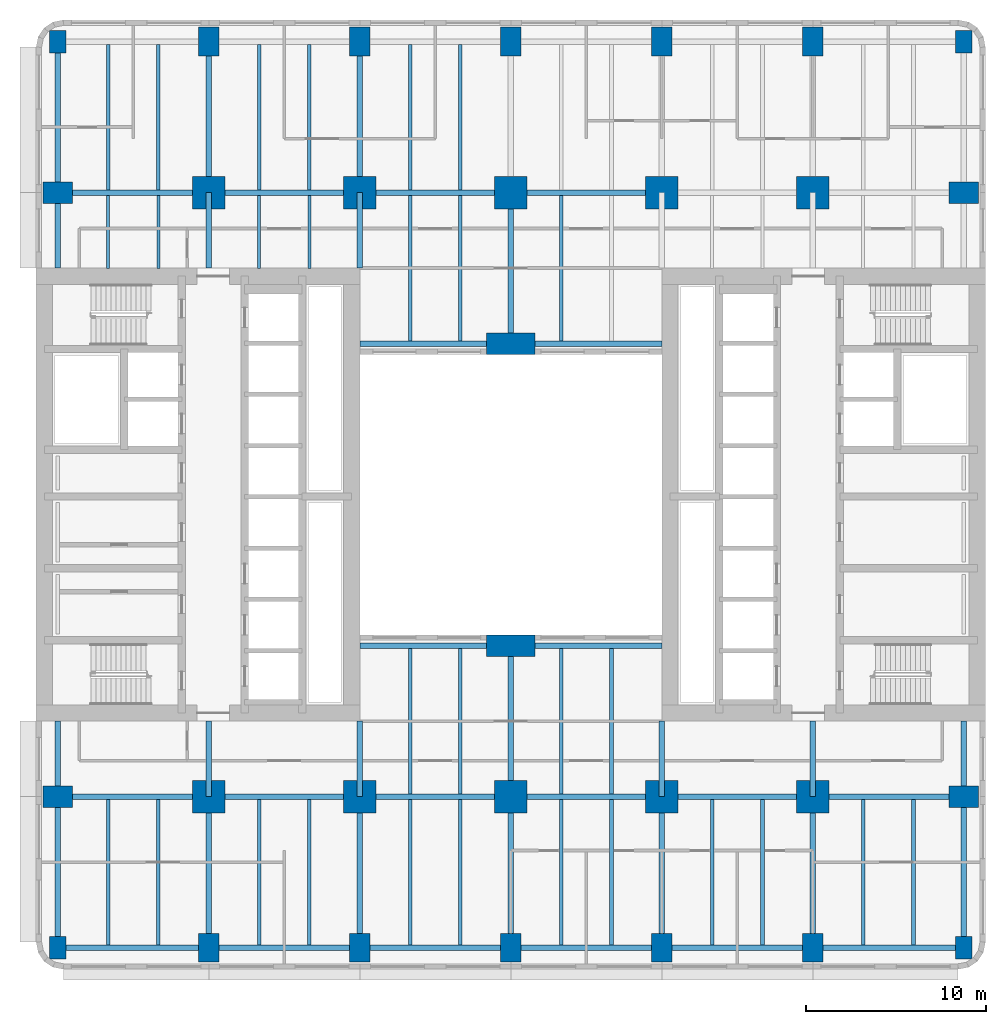
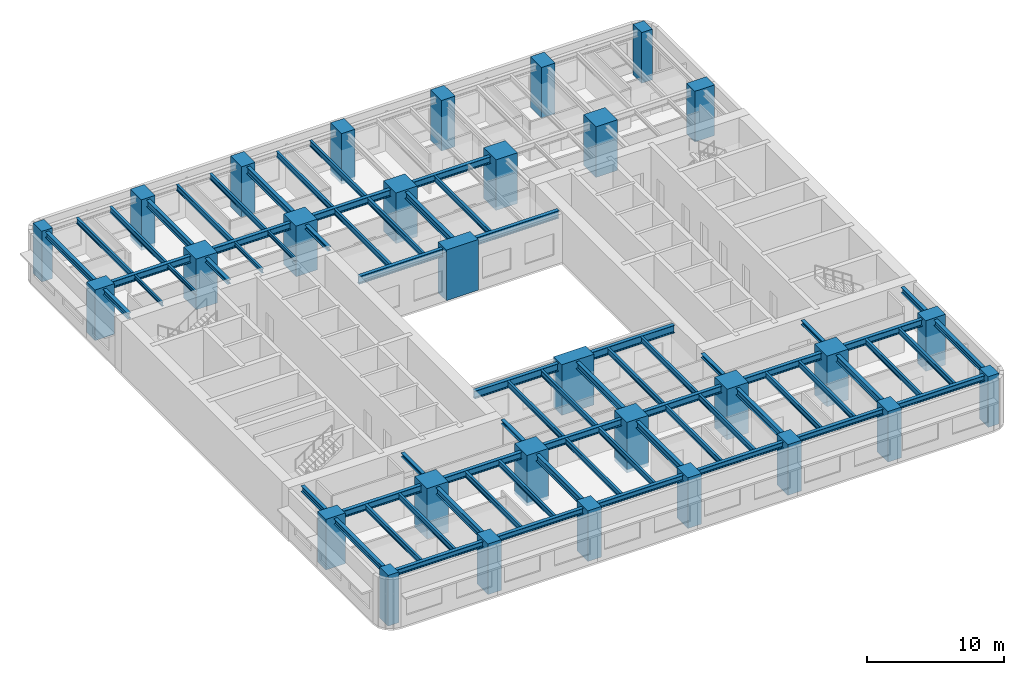
# One storey, part 1 of 14: 70 beams, 30 columns.
"""IFC4 building model written with IfcOpenShell, lengths in metres."""

import ifcopenshell
import ifcopenshell.guid

model = None  # the IFC model being written
_history = None  # IfcOwnerHistory: only IFC2X3 demands one
_inside = {}  # id of a spatial element -> (the spatial element, [elements in it])
_under = {}  # id of a project, library or spatial element -> (it, [spatial elements below it])
_declared = {}  # id of a project -> (the project, [libraries it declares])
_typed = {}  # id of a type object -> (the type object, [elements of that type])
_made_of = {}  # id of a material, layer set ... -> (it, [elements and type objects made of it])


def new_model(schema):
    """Start an empty IFC model of exactly this schema.

    Asked for "IFC4X3", IfcOpenShell would pick the latest addendum, in which some entities
    have other attributes; the version numbers below select the first issue.
    IFC2X3 requires an IfcOwnerHistory on every rooted entity: one is made here for all.
    """
    global model, _history
    if schema == "IFC4X3":
        model = ifcopenshell.file(schema_version=(4, 3, 0, 0))
    else:
        model = ifcopenshell.file(schema=schema)
    _inside.clear()
    _under.clear()
    _declared.clear()
    _typed.clear()
    _made_of.clear()
    _history = None
    if model.schema == "IFC2X3":
        org = make("IfcOrganization", Name="unknown")
        user = make(
            "IfcPersonAndOrganization",
            ThePerson=make("IfcPerson", FamilyName="unknown"),
            TheOrganization=org,
        )
        app = make(
            "IfcApplication",
            ApplicationDeveloper=org,
            Version="unknown",
            ApplicationFullName="unknown",
            ApplicationIdentifier="unknown",
        )
        _history = make(
            "IfcOwnerHistory",
            OwningUser=user,
            OwningApplication=app,
            ChangeAction="ADDED",
            CreationDate=0,
        )
    return model


def make(cls, **values):
    """One entity of the class cls with the attributes given. An attribute that is None is left unset."""
    return model.create_entity(
        cls, **{name: value for name, value in values.items() if value is not None}
    )


def rooted(cls, **values):
    """An entity with a GlobalId (a new one), such as an element, a storey or a relation."""
    return make(cls, GlobalId=ifcopenshell.guid.new(), OwnerHistory=_history, **values)


def si_unit(unit_type, name, prefix=None):
    """IfcSIUnit, for example si_unit("LENGTHUNIT", "METRE", prefix="MILLI")."""
    return make("IfcSIUnit", UnitType=unit_type, Prefix=prefix, Name=name)


def assignment(units):
    """IfcUnitAssignment: the units of a project."""
    return None if units is None else make("IfcUnitAssignment", Units=units)


def point(xyz):
    """IfcCartesianPoint."""
    return None if xyz is None else make("IfcCartesianPoint", Coordinates=xyz)


def direction(xyz):
    """IfcDirection."""
    return None if xyz is None else make("IfcDirection", DirectionRatios=xyz)


def frame(location, z_axis=None, x_axis=None):
    """IfcAxis2Placement3D, a coordinate frame: its origin and axes. An axis left out is left unset."""
    return make(
        "IfcAxis2Placement3D",
        Location=point(location),
        Axis=direction(z_axis),
        RefDirection=direction(x_axis),
    )


def frame_2d(location, x_axis=None):
    """IfcAxis2Placement2D, a coordinate frame in the plane: its origin and x axis."""
    return make(
        "IfcAxis2Placement2D", Location=point(location), RefDirection=direction(x_axis)
    )


def origin():
    """The frame at (0, 0, 0) with its axes left unset."""
    return frame((0.0, 0.0, 0.0))


def origin_2d():
    """The frame at (0, 0) in the plane with its x axis left unset."""
    return frame_2d((0.0, 0.0))


def place(relative_to, where):
    """IfcLocalPlacement: puts the frame where relative to a parent placement (None: the world)."""
    return make(
        "IfcLocalPlacement", PlacementRelTo=relative_to, RelativePlacement=where
    )


def context(
    kind, dimensions, precision=None, world=None, true_north=None, identifier=None
):
    """IfcGeometricRepresentationContext, for example the 3D "Model" context."""
    return make(
        "IfcGeometricRepresentationContext",
        ContextIdentifier=identifier,
        ContextType=kind,
        CoordinateSpaceDimension=dimensions,
        Precision=precision,
        WorldCoordinateSystem=world,
        TrueNorth=true_north,
    )


def subcontext(parent, identifier, kind, view, scale=None):
    """IfcGeometricRepresentationSubContext, for example "Body" below "Model"."""
    return make(
        "IfcGeometricRepresentationSubContext",
        ContextIdentifier=identifier,
        ContextType=kind,
        ParentContext=parent,
        TargetScale=scale,
        TargetView=view,
    )


def project(units=None, contexts=None):
    """IfcProject with its units and contexts."""
    return rooted(
        "IfcProject",
        Name="project",
        RepresentationContexts=contexts,
        UnitsInContext=assignment(units),
    )


def spatial(cls, under=None, at=None, **own):
    """A site, building, storey or space (cls), placed at a placement, below another one or the project."""
    s = rooted(cls, ObjectPlacement=at, **own)
    if under is not None:
        _under.setdefault(under.id(), (under, []))[1].append(s)
    return s


def profile(cls, at=None, kind="AREA", **sizes):
    """A parametric profile (cls). Its sizes go by their IFC names, for example OverallWidth=200.0."""
    return make(cls, ProfileType=kind, Position=at, **sizes)


def rectangle(**sizes):
    """IfcRectangleProfileDef."""
    return profile("IfcRectangleProfileDef", **sizes)


def i_section(**sizes):
    """IfcIShapeProfileDef."""
    return profile("IfcIShapeProfileDef", **sizes)


def extrude(swept, where, along, depth):
    """IfcExtrudedAreaSolid: the profile swept, set in the frame where, extruded along a direction by depth."""
    return make(
        "IfcExtrudedAreaSolid",
        SweptArea=swept,
        Position=where,
        ExtrudedDirection=direction(along),
        Depth=depth,
    )


def shape(context_of_items, identifier, shape_type, items):
    """IfcShapeRepresentation: the items that make up one representation, for example the "Body"."""
    return make(
        "IfcShapeRepresentation",
        ContextOfItems=context_of_items,
        RepresentationIdentifier=identifier,
        RepresentationType=shape_type,
        Items=items,
    )


def material(Name=None, Category=None):
    """IfcMaterial."""
    return make("IfcMaterial", Name=Name, Category=Category)


def material_profile(
    of_material, cross_section, Name=None, Category=None, Priority=None
):
    """IfcMaterialProfile: a cross section and its material."""
    return make(
        "IfcMaterialProfile",
        Name=Name,
        Material=of_material,
        Profile=cross_section,
        Priority=Priority,
        Category=Category,
    )


def profile_set(profiles, Name=None, composite=None):
    """IfcMaterialProfileSet."""
    return make(
        "IfcMaterialProfileSet",
        Name=Name,
        MaterialProfiles=profiles,
        CompositeProfile=composite,
    )


def made_of(thing, what):
    """Note that an element or type object is made of a material, layer set ...; save() writes the relation."""
    if what is not None:
        _made_of.setdefault(what.id(), (what, []))[1].append(thing)
    return thing


def type_object(cls, material=None, **own):
    """A type object (cls), such as IfcWallType, which elements share."""
    return made_of(rooted(cls, **own), material)


def element(
    cls,
    number,
    at=None,
    inside=None,
    cuts=None,
    type_object=None,
    material=None,
    context=None,
    identifier="Body",
    shape_type=None,
    held_by="IfcProductDefinitionShape",
    body=None,
    shapes=None,
    **own,
):
    """One element of the class cls, such as IfcWall. Its Tag is "e" and its number.

    at: its placement. inside: the storey or other place that contains it. cuts: it is an
    opening in that element (IfcRelVoidsElement). A single representation is given by context,
    identifier, shape_type and body (its items); several are given by shapes. held_by: the class
    of the entity that holds the representations. save() writes the other relations.
    """
    e = rooted(cls, Tag="e%d" % number, ObjectPlacement=at, **own)
    if body is not None:
        shapes = [shape(context, identifier, shape_type, body)]
    if shapes is not None:
        e.Representation = make(held_by, Representations=shapes)
    if inside is not None:
        _inside.setdefault(inside.id(), (inside, []))[1].append(e)
    if cuts is not None:
        rooted(
            "IfcRelVoidsElement", RelatingBuildingElement=cuts, RelatedOpeningElement=e
        )
    if type_object is not None:
        _typed.setdefault(type_object.id(), (type_object, []))[1].append(e)
    return made_of(e, material)


def aggregate(whole, parts):
    """IfcRelAggregates: a whole, such as a stair, and the parts it consists of."""
    return rooted("IfcRelAggregates", RelatingObject=whole, RelatedObjects=parts)


def save(model, path):
    """Write the relations noted so far, then the file.

    IfcRelAggregates (storeys below a building ...), IfcRelContainedInSpatialStructure (elements
    in a storey), IfcRelDefinesByType, IfcRelAssociatesMaterial and IfcRelDeclares: one each for
    every whole, place, type object, material and project.
    """
    for whole, parts in _under.values():
        aggregate(whole, parts)
    for where, things in _inside.values():
        rooted(
            "IfcRelContainedInSpatialStructure",
            RelatedElements=things,
            RelatingStructure=where,
        )
    for kind, things in _typed.values():
        rooted("IfcRelDefinesByType", RelatedObjects=things, RelatingType=kind)
    for what, things in _made_of.values():
        rooted("IfcRelAssociatesMaterial", RelatedObjects=things, RelatingMaterial=what)
    for by, libraries in _declared.values():
        rooted("IfcRelDeclares", RelatingContext=by, RelatedDefinitions=libraries)
    model.write(path)


model = new_model("IFC4")

# Units and contexts
model_context = context("Model", 3, precision=1e-05, world=origin(), true_north=direction((0.0, 1.0)))
body_context = subcontext(model_context, "Body", "Model", "MODEL_VIEW")
ifc_project = project(units=[si_unit("LENGTHUNIT", "METRE"), si_unit("AREAUNIT", "SQUARE_METRE"), si_unit("VOLUMEUNIT", "CUBIC_METRE"), si_unit("PLANEANGLEUNIT", "RADIAN"), si_unit("MASSUNIT", "GRAM", prefix="KILO")], contexts=[model_context])

# Site, building, storey
site_placement = place(None, origin())
site = spatial("IfcSite", under=ifc_project, at=site_placement, CompositionType="ELEMENT")
building_placement = place(site_placement, origin())
building = spatial("IfcBuilding", under=site, at=building_placement, Name="Claustro Exchange Tower", CompositionType="ELEMENT")
storey_placement = place(building_placement, frame((0.0, 0.0, 32.39990234375)))
storey = spatial("IfcBuildingStorey", under=building, at=storey_placement, Name="L07", CompositionType="ELEMENT", Elevation=32.39990234375)

# Columns
ifc_material_1 = material(Name="Concrete HA-70 (C70/85)", Category="concrete")
ifc_material_profile_1 = material_profile(ifc_material_1, rectangle(XDim=1.800048828125, YDim=1.800048828125, at=origin_2d()), Name="RC 1800x1800")
ifc_profile_set_1 = profile_set([ifc_material_profile_1], Name="Concrete HA-70 (C70/85)")
column_type_1 = type_object("IfcColumnType", Name="C14 RC 1800x1800 HA-70 column", PredefinedType="COLUMN", material=ifc_profile_set_1)
for number, where, z_axis, x_axis, name in (
    (1, (8.39990234375, 8.39990234375, 0.0), (0.0, 0.0, 1.0), (1.0, 0.0, 0.0), "Column C14 2/B L07"),
    (2, (8.39990234375, 42.0, 0.0), (0.0, 0.0, 1.0), (1.0, 0.0, 0.0), "Column C14 2/F L07"),
    (3, (16.800048828125, 8.39990234375, 0.0), (0.0, 0.0, 1.0), (1.0, 0.0, 0.0), "Column C14 3/B L07"),
    (4, (16.800048828125, 42.0, 0.0), (0.0, 0.0, 1.0), (1.0, 0.0, 0.0), "Column C14 3/F L07"),
    (5, (25.199951171875, 8.39990234375, 0.0), (0.0, 0.0, 1.0), (1.0, 0.0, 0.0), "Column C14 4/B L07"),
    (6, (25.199951171875, 42.0, 0.0), (0.0, 0.0, 1.0), (1.0, 0.0, 0.0), "Column C14 4/F L07"),
    (7, (33.60009765625, 8.39990234375, 0.0), (0.0, 0.0, 1.0), (1.0, 0.0, 0.0), "Column C14 5/B L07"),
    (8, (33.60009765625, 42.0, 0.0), (0.0, 0.0, 1.0), (1.0, 0.0, 0.0), "Column C14 5/F L07"),
    (9, (42.0, 8.39990234375, 0.0), (0.0, 0.0, 1.0), (1.0, 0.0, 0.0), "Column C14 6/B L07"),
    (10, (42.0, 42.0, 0.0), (0.0, 0.0, 1.0), (1.0, 0.0, 0.0), "Column C14 6/F L07"),
):
    element("IfcColumn", number, at=place(storey_placement, frame(where, z_axis=z_axis, x_axis=x_axis)), inside=storey, type_object=column_type_1, Name=name, PredefinedType="COLUMN", context=body_context, shape_type="SweptSolid", body=[
        extrude(rectangle(XDim=1.800048828125, YDim=1.800048828125, at=origin_2d()), origin(), (0.0, 0.0, 1.0), 4.5),
    ])
ifc_material_2 = material(Name="Concrete HA-70 (C70/85)", Category="concrete")
ifc_material_profile_2 = material_profile(ifc_material_2, rectangle(XDim=1.199951171875, YDim=1.64990234375, at=origin_2d()), Name="RC 1200x1650")
ifc_profile_set_2 = profile_set([ifc_material_profile_2], Name="Concrete HA-70 (C70/85)")
column_type_2 = type_object("IfcColumnType", Name="C19 RC 1200x1650 HA-70 perimeter column", PredefinedType="COLUMN", material=ifc_profile_set_2)
for number, where, z_axis, x_axis, name in (
    (11, (0.0, 8.39990234375, 0.0), (0.0, 0.0, 1.0), (0.0, 1.0, 0.0), "Column C19 1/B L07"),
    (12, (0.0, 42.0, 0.0), (0.0, 0.0, 1.0), (0.0, 1.0, 0.0), "Column C19 1/F L07"),
    (13, (50.39990234375, 8.39990234375, 0.0), (0.0, 0.0, 1.0), (0.0, 1.0, 0.0), "Column C19 7/B L07"),
    (14, (50.39990234375, 42.0, 0.0), (0.0, 0.0, 1.0), (0.0, 1.0, 0.0), "Column C19 7/F L07"),
):
    element("IfcColumn", number, at=place(storey_placement, frame(where, z_axis=z_axis, x_axis=x_axis)), inside=storey, type_object=column_type_2, Name=name, PredefinedType="COLUMN", context=body_context, shape_type="SweptSolid", body=[
        extrude(rectangle(XDim=1.199951171875, YDim=1.64990234375, at=origin_2d()), origin(), (0.0, 0.0, 1.0), 4.5),
    ])
ifc_material_3 = material(Name="Concrete HA-70 (C70/85)", Category="concrete")
ifc_material_profile_3 = material_profile(ifc_material_3, rectangle(XDim=1.14990234375, YDim=1.60009765625, at=origin_2d()), Name="RC 1150x1600")
ifc_profile_set_3 = profile_set([ifc_material_profile_3], Name="Concrete HA-70 (C70/85)")
column_type_3 = type_object("IfcColumnType", Name="C20 RC 1150x1600 HA-70 perimeter column", PredefinedType="COLUMN", material=ifc_profile_set_3)
for number, where, z_axis, x_axis, name in (
    (15, (8.39990234375, 0.0, 0.0), (0.0, 0.0, 1.0), (1.0, 0.0, 0.0), "Column C20 2/A L07"),
    (16, (8.39990234375, 50.39990234375, 0.0), (0.0, 0.0, 1.0), (1.0, 0.0, 0.0), "Column C20 2/G L07"),
    (17, (16.800048828125, 0.0, 0.0), (0.0, 0.0, 1.0), (1.0, 0.0, 0.0), "Column C20 3/A L07"),
    (18, (16.800048828125, 50.39990234375, 0.0), (0.0, 0.0, 1.0), (1.0, 0.0, 0.0), "Column C20 3/G L07"),
    (19, (25.199951171875, 0.0, 0.0), (0.0, 0.0, 1.0), (1.0, 0.0, 0.0), "Column C20 4/A L07"),
    (20, (25.199951171875, 50.39990234375, 0.0), (0.0, 0.0, 1.0), (1.0, 0.0, 0.0), "Column C20 4/G L07"),
    (21, (33.60009765625, 0.0, 0.0), (0.0, 0.0, 1.0), (1.0, 0.0, 0.0), "Column C20 5/A L07"),
    (22, (33.60009765625, 50.39990234375, 0.0), (0.0, 0.0, 1.0), (1.0, 0.0, 0.0), "Column C20 5/G L07"),
    (23, (42.0, 0.0, 0.0), (0.0, 0.0, 1.0), (1.0, 0.0, 0.0), "Column C20 6/A L07"),
    (24, (42.0, 50.39990234375, 0.0), (0.0, 0.0, 1.0), (1.0, 0.0, 0.0), "Column C20 6/G L07"),
):
    element("IfcColumn", number, at=place(storey_placement, frame(where, z_axis=z_axis, x_axis=x_axis)), inside=storey, type_object=column_type_3, Name=name, PredefinedType="COLUMN", context=body_context, shape_type="SweptSolid", body=[
        extrude(rectangle(XDim=1.14990234375, YDim=1.60009765625, at=origin_2d()), origin(), (0.0, 0.0, 1.0), 4.5),
    ])
ifc_material_4 = material(Name="Concrete HA-70 (C70/85)", Category="concrete")
ifc_material_profile_4 = material_profile(ifc_material_4, rectangle(XDim=2.699951171875, YDim=1.199951171875, at=origin_2d()), Name="RC 2700x1200")
ifc_profile_set_4 = profile_set([ifc_material_profile_4], Name="Concrete HA-70 (C70/85)")
column_type_4 = type_object("IfcColumnType", Name="C30 RC 2700x1200 HA-70 light well column", PredefinedType="COLUMN", material=ifc_profile_set_4)
for number, where, z_axis, x_axis, name in (
    (25, (25.199951171875, 16.800048828125, 0.0), (0.0, 0.0, 1.0), (1.0, 0.0, 0.0), "Column C30 4/C L07"),
    (26, (25.199951171875, 33.60009765625, 0.0), (0.0, 0.0, 1.0), (1.0, 0.0, 0.0), "Column C30 4/E L07"),
):
    element("IfcColumn", number, at=place(storey_placement, frame(where, z_axis=z_axis, x_axis=x_axis)), inside=storey, type_object=column_type_4, Name=name, PredefinedType="COLUMN", context=body_context, shape_type="SweptSolid", body=[
        extrude(rectangle(XDim=2.699951171875, YDim=1.199951171875, at=origin_2d()), origin(), (0.0, 0.0, 1.0), 4.5),
    ])
ifc_material_5 = material(Name="Concrete HA-70 (C70/85)", Category="concrete")
ifc_material_profile_5 = material_profile(ifc_material_5, rectangle(XDim=0.89990234375, YDim=1.25, at=origin_2d()), Name="RC 900x1250")
ifc_profile_set_5 = profile_set([ifc_material_profile_5], Name="Concrete HA-70 (C70/85)")
column_type_5 = type_object("IfcColumnType", Name="C35 RC 900x1250 HA-70 corner column", PredefinedType="COLUMN", material=ifc_profile_set_5)
for number, where, z_axis, x_axis, name in (
    (27, (0.0, 0.0, 0.0), (0.0, 0.0, 1.0), (1.0, 0.0, 0.0), "Column C35 1/A L07"),
    (28, (0.0, 50.39990234375, 0.0), (0.0, 0.0, 1.0), (1.0, 0.0, 0.0), "Column C35 1/G L07"),
    (29, (50.39990234375, 0.0, 0.0), (0.0, 0.0, 1.0), (1.0, 0.0, 0.0), "Column C35 7/A L07"),
    (30, (50.39990234375, 50.39990234375, 0.0), (0.0, 0.0, 1.0), (1.0, 0.0, 0.0), "Column C35 7/G L07"),
):
    element("IfcColumn", number, at=place(storey_placement, frame(where, z_axis=z_axis, x_axis=x_axis)), inside=storey, type_object=column_type_5, Name=name, PredefinedType="COLUMN", context=body_context, shape_type="SweptSolid", body=[
        extrude(rectangle(XDim=0.89990234375, YDim=1.25, at=origin_2d()), origin(), (0.0, 0.0, 1.0), 4.5),
    ])

# Beams
ifc_material_6 = material(Name="Steel S355", Category="steel")
ifc_material_profile_6 = material_profile(ifc_material_6, i_section(OverallWidth=0.300048828125, OverallDepth=0.60009765625, WebThickness=0.015380859375, FlangeThickness=0.030029296875, FilletRadius=0.027099609375, at=origin_2d()), Name="HE 600 B")
ifc_profile_set_6 = profile_set([ifc_material_profile_6], Name="Steel S355")
beam_type_1 = type_object("IfcBeamType", Name="B1 HE 600 B floor girder", PredefinedType="BEAM", material=ifc_profile_set_6)
for number, where, z_axis, x_axis, name in (
    (31, (8.39990234375, 0.0, 4.0400390625), (0.0, 1.0, 0.0), (-1.0, 0.0, 0.0), "Beam B1 L08"),
    (32, (8.39990234375, 42.0, 4.0400390625), (0.0, 1.0, 0.0), (-1.0, 0.0, 0.0), "Beam B1 L08"),
    (33, (16.800048828125, 0.0, 4.0400390625), (0.0, 1.0, 0.0), (-1.0, 0.0, 0.0), "Beam B1 L08"),
    (34, (16.800048828125, 42.0, 4.0400390625), (0.0, 1.0, 0.0), (-1.0, 0.0, 0.0), "Beam B1 L08"),
    (35, (25.199951171875, 0.0, 4.0400390625), (0.0, 1.0, 0.0), (-1.0, 0.0, 0.0), "Beam B1 L08"),
):
    element("IfcBeam", number, at=place(storey_placement, frame(where, z_axis=z_axis, x_axis=x_axis)), inside=storey, type_object=beam_type_1, Name=name, PredefinedType="BEAM", context=body_context, shape_type="SweptSolid", body=[
        extrude(i_section(OverallWidth=0.300048828125, OverallDepth=0.60009765625, WebThickness=0.015380859375, FlangeThickness=0.030029296875, FilletRadius=0.027099609375, at=origin_2d()), origin(), (0.0, 0.0, 1.0), 8.39990234375),
    ])
beam_1_placement = place(storey_placement, frame((25.199951171875, 8.39990234375, 4.0400390625), z_axis=(0.0, 1.0, 0.0), x_axis=(-1.0, 0.0, 0.0)))
element("IfcBeam", 36, at=beam_1_placement, inside=storey, type_object=beam_type_1, Name="Beam B1 L08", PredefinedType="BEAM", context=body_context, shape_type="SweptSolid", body=[
    extrude(i_section(OverallWidth=0.300048828125, OverallDepth=0.60009765625, WebThickness=0.015380859375, FlangeThickness=0.030029296875, FilletRadius=0.027099609375, at=origin_2d()), origin(), (0.0, 0.0, 1.0), 8.400146484375),
])
for number, where, z_axis, x_axis, name in (
    (37, (25.199951171875, 33.60009765625, 4.0400390625), (0.0, 1.0, 0.0), (-1.0, 0.0, 0.0), "Beam B1 L08"),
    (38, (33.60009765625, 0.0, 4.0400390625), (0.0, 1.0, 0.0), (-1.0, 0.0, 0.0), "Beam B1 L08"),
    (39, (42.0, 0.0, 4.0400390625), (0.0, 1.0, 0.0), (-1.0, 0.0, 0.0), "Beam B1 L08"),
    (40, (0.0, 8.39990234375, 4.0400390625), (1.0, 0.0, 0.0), (0.0, 1.0, 0.0), "Beam B1 L08"),
):
    element("IfcBeam", number, at=place(storey_placement, frame(where, z_axis=z_axis, x_axis=x_axis)), inside=storey, type_object=beam_type_1, Name=name, PredefinedType="BEAM", context=body_context, shape_type="SweptSolid", body=[
        extrude(i_section(OverallWidth=0.300048828125, OverallDepth=0.60009765625, WebThickness=0.015380859375, FlangeThickness=0.030029296875, FilletRadius=0.027099609375, at=origin_2d()), origin(), (0.0, 0.0, 1.0), 8.39990234375),
    ])
beam_2_placement = place(storey_placement, frame((8.39990234375, 8.39990234375, 4.0400390625), z_axis=(1.0, 0.0, 0.0), x_axis=(0.0, 1.0, 0.0)))
element("IfcBeam", 41, at=beam_2_placement, inside=storey, type_object=beam_type_1, Name="Beam B1 L08", PredefinedType="BEAM", context=body_context, shape_type="SweptSolid", body=[
    extrude(i_section(OverallWidth=0.300048828125, OverallDepth=0.60009765625, WebThickness=0.015380859375, FlangeThickness=0.030029296875, FilletRadius=0.027099609375, at=origin_2d()), origin(), (0.0, 0.0, 1.0), 8.400146484375),
])
beam_3_placement = place(storey_placement, frame((16.800048828125, 8.39990234375, 4.0400390625), z_axis=(1.0, 0.0, 0.0), x_axis=(0.0, 1.0, 0.0)))
element("IfcBeam", 42, at=beam_3_placement, inside=storey, type_object=beam_type_1, Name="Beam B1 L08", PredefinedType="BEAM", context=body_context, shape_type="SweptSolid", body=[
    extrude(i_section(OverallWidth=0.300048828125, OverallDepth=0.60009765625, WebThickness=0.015380859375, FlangeThickness=0.030029296875, FilletRadius=0.027099609375, at=origin_2d()), origin(), (0.0, 0.0, 1.0), 8.39990234375),
])
beam_4_placement = place(storey_placement, frame((25.199951171875, 8.39990234375, 4.0400390625), z_axis=(1.0, 0.0, 0.0), x_axis=(0.0, 1.0, 0.0)))
element("IfcBeam", 43, at=beam_4_placement, inside=storey, type_object=beam_type_1, Name="Beam B1 L08", PredefinedType="BEAM", context=body_context, shape_type="SweptSolid", body=[
    extrude(i_section(OverallWidth=0.300048828125, OverallDepth=0.60009765625, WebThickness=0.015380859375, FlangeThickness=0.030029296875, FilletRadius=0.027099609375, at=origin_2d()), origin(), (0.0, 0.0, 1.0), 8.400146484375),
])
for number, where, z_axis, x_axis, name in (
    (44, (33.60009765625, 8.39990234375, 4.0400390625), (1.0, 0.0, 0.0), (0.0, 1.0, 0.0), "Beam B1 L08"),
    (45, (42.0, 8.39990234375, 4.0400390625), (1.0, 0.0, 0.0), (0.0, 1.0, 0.0), "Beam B1 L08"),
    (46, (0.0, 42.0, 4.0400390625), (1.0, 0.0, 0.0), (0.0, 1.0, 0.0), "Beam B1 L08"),
):
    element("IfcBeam", number, at=place(storey_placement, frame(where, z_axis=z_axis, x_axis=x_axis)), inside=storey, type_object=beam_type_1, Name=name, PredefinedType="BEAM", context=body_context, shape_type="SweptSolid", body=[
        extrude(i_section(OverallWidth=0.300048828125, OverallDepth=0.60009765625, WebThickness=0.015380859375, FlangeThickness=0.030029296875, FilletRadius=0.027099609375, at=origin_2d()), origin(), (0.0, 0.0, 1.0), 8.39990234375),
    ])
beam_5_placement = place(storey_placement, frame((8.39990234375, 42.0, 4.0400390625), z_axis=(1.0, 0.0, 0.0), x_axis=(0.0, 1.0, 0.0)))
element("IfcBeam", 47, at=beam_5_placement, inside=storey, type_object=beam_type_1, Name="Beam B1 L08", PredefinedType="BEAM", context=body_context, shape_type="SweptSolid", body=[
    extrude(i_section(OverallWidth=0.300048828125, OverallDepth=0.60009765625, WebThickness=0.015380859375, FlangeThickness=0.030029296875, FilletRadius=0.027099609375, at=origin_2d()), origin(), (0.0, 0.0, 1.0), 8.400146484375),
])
beam_6_placement = place(storey_placement, frame((16.800048828125, 42.0, 4.0400390625), z_axis=(1.0, 0.0, 0.0), x_axis=(0.0, 1.0, 0.0)))
element("IfcBeam", 48, at=beam_6_placement, inside=storey, type_object=beam_type_1, Name="Beam B1 L08", PredefinedType="BEAM", context=body_context, shape_type="SweptSolid", body=[
    extrude(i_section(OverallWidth=0.300048828125, OverallDepth=0.60009765625, WebThickness=0.015380859375, FlangeThickness=0.030029296875, FilletRadius=0.027099609375, at=origin_2d()), origin(), (0.0, 0.0, 1.0), 8.39990234375),
])
beam_7_placement = place(storey_placement, frame((25.199951171875, 42.0, 4.0400390625), z_axis=(1.0, 0.0, 0.0), x_axis=(0.0, 1.0, 0.0)))
element("IfcBeam", 49, at=beam_7_placement, inside=storey, type_object=beam_type_1, Name="Beam B1 L08", PredefinedType="BEAM", context=body_context, shape_type="SweptSolid", body=[
    extrude(i_section(OverallWidth=0.300048828125, OverallDepth=0.60009765625, WebThickness=0.015380859375, FlangeThickness=0.030029296875, FilletRadius=0.027099609375, at=origin_2d()), origin(), (0.0, 0.0, 1.0), 8.400146484375),
])
ifc_material_7 = material(Name="Steel S355", Category="steel")
ifc_material_profile_7 = material_profile(ifc_material_7, i_section(OverallWidth=0.300048828125, OverallDepth=0.68994140625, WebThickness=0.014404296875, FlangeThickness=0.027099609375, FilletRadius=0.027099609375, at=origin_2d()), Name="HE 700 A")
ifc_profile_set_7 = profile_set([ifc_material_profile_7], Name="Steel S355")
beam_type_2 = type_object("IfcBeamType", Name="B13 HE 700 A light well edge girder", PredefinedType="BEAM", material=ifc_profile_set_7)
beam_8_placement = place(storey_placement, frame((16.800048828125, 16.800048828125, 3.9951171875), z_axis=(1.0, 0.0, 0.0), x_axis=(0.0, 1.0, 0.0)))
element("IfcBeam", 50, at=beam_8_placement, inside=storey, type_object=beam_type_2, Name="Beam B13 L08", PredefinedType="BEAM", context=body_context, shape_type="SweptSolid", body=[
    extrude(i_section(OverallWidth=0.300048828125, OverallDepth=0.68994140625, WebThickness=0.014404296875, FlangeThickness=0.027099609375, FilletRadius=0.027099609375, at=origin_2d()), origin(), (0.0, 0.0, 1.0), 8.39990234375),
])
beam_9_placement = place(storey_placement, frame((25.199951171875, 16.800048828125, 3.9951171875), z_axis=(1.0, 0.0, 0.0), x_axis=(0.0, 1.0, 0.0)))
element("IfcBeam", 51, at=beam_9_placement, inside=storey, type_object=beam_type_2, Name="Beam B13 L08", PredefinedType="BEAM", context=body_context, shape_type="SweptSolid", body=[
    extrude(i_section(OverallWidth=0.300048828125, OverallDepth=0.68994140625, WebThickness=0.014404296875, FlangeThickness=0.027099609375, FilletRadius=0.027099609375, at=origin_2d()), origin(), (0.0, 0.0, 1.0), 8.400146484375),
])
beam_10_placement = place(storey_placement, frame((16.800048828125, 33.60009765625, 3.9951171875), z_axis=(1.0, 0.0, 0.0), x_axis=(0.0, 1.0, 0.0)))
element("IfcBeam", 52, at=beam_10_placement, inside=storey, type_object=beam_type_2, Name="Beam B13 L08", PredefinedType="BEAM", context=body_context, shape_type="SweptSolid", body=[
    extrude(i_section(OverallWidth=0.300048828125, OverallDepth=0.68994140625, WebThickness=0.014404296875, FlangeThickness=0.027099609375, FilletRadius=0.027099609375, at=origin_2d()), origin(), (0.0, 0.0, 1.0), 8.39990234375),
])
beam_11_placement = place(storey_placement, frame((25.199951171875, 33.60009765625, 3.9951171875), z_axis=(1.0, 0.0, 0.0), x_axis=(0.0, 1.0, 0.0)))
element("IfcBeam", 53, at=beam_11_placement, inside=storey, type_object=beam_type_2, Name="Beam B13 L08", PredefinedType="BEAM", context=body_context, shape_type="SweptSolid", body=[
    extrude(i_section(OverallWidth=0.300048828125, OverallDepth=0.68994140625, WebThickness=0.014404296875, FlangeThickness=0.027099609375, FilletRadius=0.027099609375, at=origin_2d()), origin(), (0.0, 0.0, 1.0), 8.400146484375),
])
ifc_material_8 = material(Name="Steel S355", Category="steel")
ifc_material_profile_8 = material_profile(ifc_material_8, i_section(OverallWidth=0.169921875, OverallDepth=0.360107421875, WebThickness=0.008056640625, FlangeThickness=0.0126953125, FilletRadius=0.01806640625, at=origin_2d()), Name="IPE 360")
ifc_profile_set_8 = profile_set([ifc_material_profile_8], Name="Steel S355")
beam_type_3 = type_object("IfcBeamType", Name="B16 IPE 360 short-span beam", PredefinedType="BEAM", material=ifc_profile_set_8)
for number, where, z_axis, x_axis, name in (
    (54, (2.800048828125, 37.7900390625, 4.16015625), (0.0, 1.0, 0.0), (-1.0, 0.0, 0.0), "Beam B16 L08"),
    (55, (5.60009765625, 37.7900390625, 4.16015625), (0.0, 1.0, 0.0), (-1.0, 0.0, 0.0), "Beam B16 L08"),
    (56, (11.199951171875, 37.7900390625, 4.16015625), (0.0, 1.0, 0.0), (-1.0, 0.0, 0.0), "Beam B16 L08"),
    (57, (14.0, 37.7900390625, 4.16015625), (0.0, 1.0, 0.0), (-1.0, 0.0, 0.0), "Beam B16 L08"),
):
    element("IfcBeam", number, at=place(storey_placement, frame(where, z_axis=z_axis, x_axis=x_axis)), inside=storey, type_object=beam_type_3, Name=name, PredefinedType="BEAM", context=body_context, shape_type="SweptSolid", body=[
        extrude(i_section(OverallWidth=0.169921875, OverallDepth=0.360107421875, WebThickness=0.008056640625, FlangeThickness=0.0126953125, FilletRadius=0.01806640625, at=origin_2d()), origin(), (0.0, 0.0, 1.0), 4.06005859375),
    ])
ifc_material_9 = material(Name="Steel S355", Category="steel")
ifc_material_profile_9 = material_profile(ifc_material_9, i_section(OverallWidth=0.199951171875, OverallDepth=0.5, WebThickness=0.01025390625, FlangeThickness=0.01611328125, FilletRadius=0.02099609375, at=origin_2d()), Name="IPE 500")
ifc_profile_set_9 = profile_set([ifc_material_profile_9], Name="Steel S355")
beam_type_4 = type_object("IfcBeamType", Name="B2 IPE 500 secondary beam", PredefinedType="BEAM", material=ifc_profile_set_9)
for number, where, z_axis, x_axis, name in (
    (58, (2.800048828125, 0.14990234375, 4.090087890625), (0.0, 1.0, 0.0), (-1.0, 0.0, 0.0), "Beam B2 L08"),
    (59, (5.60009765625, 0.14990234375, 4.090087890625), (0.0, 1.0, 0.0), (-1.0, 0.0, 0.0), "Beam B2 L08"),
    (60, (2.800048828125, 42.14990234375, 4.090087890625), (0.0, 1.0, 0.0), (-1.0, 0.0, 0.0), "Beam B2 L08"),
    (61, (5.60009765625, 42.14990234375, 4.090087890625), (0.0, 1.0, 0.0), (-1.0, 0.0, 0.0), "Beam B2 L08"),
    (62, (11.199951171875, 0.14990234375, 4.090087890625), (0.0, 1.0, 0.0), (-1.0, 0.0, 0.0), "Beam B2 L08"),
    (63, (14.0, 0.14990234375, 4.090087890625), (0.0, 1.0, 0.0), (-1.0, 0.0, 0.0), "Beam B2 L08"),
    (64, (11.199951171875, 42.14990234375, 4.090087890625), (0.0, 1.0, 0.0), (-1.0, 0.0, 0.0), "Beam B2 L08"),
    (65, (14.0, 42.14990234375, 4.090087890625), (0.0, 1.0, 0.0), (-1.0, 0.0, 0.0), "Beam B2 L08"),
    (66, (19.60009765625, 0.14990234375, 4.090087890625), (0.0, 1.0, 0.0), (-1.0, 0.0, 0.0), "Beam B2 L08"),
    (67, (22.39990234375, 0.14990234375, 4.090087890625), (0.0, 1.0, 0.0), (-1.0, 0.0, 0.0), "Beam B2 L08"),
):
    element("IfcBeam", number, at=place(storey_placement, frame(where, z_axis=z_axis, x_axis=x_axis)), inside=storey, type_object=beam_type_4, Name=name, PredefinedType="BEAM", context=body_context, shape_type="SweptSolid", body=[
        extrude(i_section(OverallWidth=0.199951171875, OverallDepth=0.5, WebThickness=0.01025390625, FlangeThickness=0.01611328125, FilletRadius=0.02099609375, at=origin_2d()), origin(), (0.0, 0.0, 1.0), 8.10009765625),
    ])
for number, where, z_axis, x_axis, name in (
    (68, (19.60009765625, 8.550048828125, 4.090087890625), (0.0, 1.0, 0.0), (-1.0, 0.0, 0.0), "Beam B2 L08"),
    (69, (22.39990234375, 8.550048828125, 4.090087890625), (0.0, 1.0, 0.0), (-1.0, 0.0, 0.0), "Beam B2 L08"),
):
    element("IfcBeam", number, at=place(storey_placement, frame(where, z_axis=z_axis, x_axis=x_axis)), inside=storey, type_object=beam_type_4, Name=name, PredefinedType="BEAM", context=body_context, shape_type="SweptSolid", body=[
        extrude(i_section(OverallWidth=0.199951171875, OverallDepth=0.5, WebThickness=0.01025390625, FlangeThickness=0.01611328125, FilletRadius=0.02099609375, at=origin_2d()), origin(), (0.0, 0.0, 1.0), 8.099853515625),
    ])
for number, where, z_axis, x_axis, name in (
    (70, (19.60009765625, 33.75, 4.090087890625), (0.0, 1.0, 0.0), (-1.0, 0.0, 0.0), "Beam B2 L08"),
    (71, (22.39990234375, 33.75, 4.090087890625), (0.0, 1.0, 0.0), (-1.0, 0.0, 0.0), "Beam B2 L08"),
    (72, (19.60009765625, 42.14990234375, 4.090087890625), (0.0, 1.0, 0.0), (-1.0, 0.0, 0.0), "Beam B2 L08"),
    (73, (22.39990234375, 42.14990234375, 4.090087890625), (0.0, 1.0, 0.0), (-1.0, 0.0, 0.0), "Beam B2 L08"),
    (74, (28.0, 0.14990234375, 4.090087890625), (0.0, 1.0, 0.0), (-1.0, 0.0, 0.0), "Beam B2 L08"),
    (75, (30.800048828125, 0.14990234375, 4.090087890625), (0.0, 1.0, 0.0), (-1.0, 0.0, 0.0), "Beam B2 L08"),
):
    element("IfcBeam", number, at=place(storey_placement, frame(where, z_axis=z_axis, x_axis=x_axis)), inside=storey, type_object=beam_type_4, Name=name, PredefinedType="BEAM", context=body_context, shape_type="SweptSolid", body=[
        extrude(i_section(OverallWidth=0.199951171875, OverallDepth=0.5, WebThickness=0.01025390625, FlangeThickness=0.01611328125, FilletRadius=0.02099609375, at=origin_2d()), origin(), (0.0, 0.0, 1.0), 8.10009765625),
    ])
for number, where, z_axis, x_axis, name in (
    (76, (28.0, 8.550048828125, 4.090087890625), (0.0, 1.0, 0.0), (-1.0, 0.0, 0.0), "Beam B2 L08"),
    (77, (30.800048828125, 8.550048828125, 4.090087890625), (0.0, 1.0, 0.0), (-1.0, 0.0, 0.0), "Beam B2 L08"),
):
    element("IfcBeam", number, at=place(storey_placement, frame(where, z_axis=z_axis, x_axis=x_axis)), inside=storey, type_object=beam_type_4, Name=name, PredefinedType="BEAM", context=body_context, shape_type="SweptSolid", body=[
        extrude(i_section(OverallWidth=0.199951171875, OverallDepth=0.5, WebThickness=0.01025390625, FlangeThickness=0.01611328125, FilletRadius=0.02099609375, at=origin_2d()), origin(), (0.0, 0.0, 1.0), 8.099853515625),
    ])
for number, where, z_axis, x_axis, name in (
    (78, (28.0, 33.75, 4.090087890625), (0.0, 1.0, 0.0), (-1.0, 0.0, 0.0), "Beam B2 L08"),
    (79, (36.39990234375, 0.14990234375, 4.090087890625), (0.0, 1.0, 0.0), (-1.0, 0.0, 0.0), "Beam B2 L08"),
    (80, (39.199951171875, 0.14990234375, 4.090087890625), (0.0, 1.0, 0.0), (-1.0, 0.0, 0.0), "Beam B2 L08"),
    (81, (44.800048828125, 0.14990234375, 4.090087890625), (0.0, 1.0, 0.0), (-1.0, 0.0, 0.0), "Beam B2 L08"),
    (82, (47.60009765625, 0.14990234375, 4.090087890625), (0.0, 1.0, 0.0), (-1.0, 0.0, 0.0), "Beam B2 L08"),
):
    element("IfcBeam", number, at=place(storey_placement, frame(where, z_axis=z_axis, x_axis=x_axis)), inside=storey, type_object=beam_type_4, Name=name, PredefinedType="BEAM", context=body_context, shape_type="SweptSolid", body=[
        extrude(i_section(OverallWidth=0.199951171875, OverallDepth=0.5, WebThickness=0.01025390625, FlangeThickness=0.01611328125, FilletRadius=0.02099609375, at=origin_2d()), origin(), (0.0, 0.0, 1.0), 8.10009765625),
    ])
ifc_material_10 = material(Name="Steel S355", Category="steel")
ifc_material_profile_10 = material_profile(ifc_material_10, i_section(OverallWidth=0.300048828125, OverallDepth=0.360107421875, WebThickness=0.012451171875, FlangeThickness=0.0224609375, FilletRadius=0.027099609375, at=origin_2d()), Name="HE 360 B")
ifc_profile_set_10 = profile_set([ifc_material_profile_10], Name="Steel S355")
beam_type_5 = type_object("IfcBeamType", Name="B29 HE 360 B column to core link beam", PredefinedType="BEAM", material=ifc_profile_set_10)
beam_12_placement = place(storey_placement, frame((8.39990234375, 8.39990234375, 4.16015625), z_axis=(0.0, 1.0, 0.0), x_axis=(-1.0, 0.0, 0.0)))
element("IfcBeam", 83, at=beam_12_placement, inside=storey, type_object=beam_type_5, Name="Beam B29 L08", PredefinedType="BEAM", context=body_context, shape_type="SweptSolid", body=[
    extrude(i_section(OverallWidth=0.300048828125, OverallDepth=0.360107421875, WebThickness=0.012451171875, FlangeThickness=0.0224609375, FilletRadius=0.027099609375, at=origin_2d()), origin(), (0.0, 0.0, 1.0), 4.2001953125),
])
beam_13_placement = place(storey_placement, frame((8.39990234375, 37.800048828125, 4.16015625), z_axis=(0.0, 1.0, 0.0), x_axis=(-1.0, 0.0, 0.0)))
element("IfcBeam", 84, at=beam_13_placement, inside=storey, type_object=beam_type_5, Name="Beam B29 L08", PredefinedType="BEAM", context=body_context, shape_type="SweptSolid", body=[
    extrude(i_section(OverallWidth=0.300048828125, OverallDepth=0.360107421875, WebThickness=0.012451171875, FlangeThickness=0.0224609375, FilletRadius=0.027099609375, at=origin_2d()), origin(), (0.0, 0.0, 1.0), 4.199951171875),
])
beam_14_placement = place(storey_placement, frame((16.800048828125, 8.39990234375, 4.16015625), z_axis=(0.0, 1.0, 0.0), x_axis=(-1.0, 0.0, 0.0)))
element("IfcBeam", 85, at=beam_14_placement, inside=storey, type_object=beam_type_5, Name="Beam B29 L08", PredefinedType="BEAM", context=body_context, shape_type="SweptSolid", body=[
    extrude(i_section(OverallWidth=0.300048828125, OverallDepth=0.360107421875, WebThickness=0.012451171875, FlangeThickness=0.0224609375, FilletRadius=0.027099609375, at=origin_2d()), origin(), (0.0, 0.0, 1.0), 4.2001953125),
])
beam_15_placement = place(storey_placement, frame((16.800048828125, 37.800048828125, 4.16015625), z_axis=(0.0, 1.0, 0.0), x_axis=(-1.0, 0.0, 0.0)))
element("IfcBeam", 86, at=beam_15_placement, inside=storey, type_object=beam_type_5, Name="Beam B29 L08", PredefinedType="BEAM", context=body_context, shape_type="SweptSolid", body=[
    extrude(i_section(OverallWidth=0.300048828125, OverallDepth=0.360107421875, WebThickness=0.012451171875, FlangeThickness=0.0224609375, FilletRadius=0.027099609375, at=origin_2d()), origin(), (0.0, 0.0, 1.0), 4.199951171875),
])
for number, where, z_axis, x_axis, name in (
    (87, (33.60009765625, 8.39990234375, 4.16015625), (0.0, 1.0, 0.0), (-1.0, 0.0, 0.0), "Beam B29 L08"),
    (88, (42.0, 8.39990234375, 4.16015625), (0.0, 1.0, 0.0), (-1.0, 0.0, 0.0), "Beam B29 L08"),
):
    element("IfcBeam", number, at=place(storey_placement, frame(where, z_axis=z_axis, x_axis=x_axis)), inside=storey, type_object=beam_type_5, Name=name, PredefinedType="BEAM", context=body_context, shape_type="SweptSolid", body=[
        extrude(i_section(OverallWidth=0.300048828125, OverallDepth=0.360107421875, WebThickness=0.012451171875, FlangeThickness=0.0224609375, FilletRadius=0.027099609375, at=origin_2d()), origin(), (0.0, 0.0, 1.0), 4.2001953125),
    ])
ifc_material_11 = material(Name="Steel S355", Category="steel")
ifc_material_profile_11 = material_profile(ifc_material_11, i_section(OverallWidth=0.300048828125, OverallDepth=0.5, WebThickness=0.014404296875, FlangeThickness=0.028076171875, FilletRadius=0.027099609375, at=origin_2d()), Name="HE 500 B")
ifc_profile_set_11 = profile_set([ifc_material_profile_11], Name="Steel S355")
beam_type_6 = type_object("IfcBeamType", Name="B3 HE 500 B spandrel edge girder", PredefinedType="SPANDREL", material=ifc_profile_set_11)
beam_16_placement = place(storey_placement, frame((0.0, 0.0, 4.090087890625), z_axis=(0.0, 1.0, 0.0), x_axis=(-1.0, 0.0, 0.0)))
element("IfcBeam", 89, at=beam_16_placement, inside=storey, type_object=beam_type_6, Name="Beam B3 L08", PredefinedType="SPANDREL", context=body_context, shape_type="SweptSolid", body=[
    extrude(i_section(OverallWidth=0.300048828125, OverallDepth=0.5, WebThickness=0.014404296875, FlangeThickness=0.028076171875, FilletRadius=0.027099609375, at=origin_2d()), origin(), (0.0, 0.0, 1.0), 8.39990234375),
])
beam_17_placement = place(storey_placement, frame((0.0, 8.39990234375, 4.090087890625), z_axis=(0.0, 1.0, 0.0), x_axis=(-1.0, 0.0, 0.0)))
element("IfcBeam", 90, at=beam_17_placement, inside=storey, type_object=beam_type_6, Name="Beam B3 L08", PredefinedType="SPANDREL", context=body_context, shape_type="SweptSolid", body=[
    extrude(i_section(OverallWidth=0.300048828125, OverallDepth=0.5, WebThickness=0.014404296875, FlangeThickness=0.028076171875, FilletRadius=0.027099609375, at=origin_2d()), origin(), (0.0, 0.0, 1.0), 4.2001953125),
])
beam_18_placement = place(storey_placement, frame((0.0, 37.800048828125, 4.090087890625), z_axis=(0.0, 1.0, 0.0), x_axis=(-1.0, 0.0, 0.0)))
element("IfcBeam", 91, at=beam_18_placement, inside=storey, type_object=beam_type_6, Name="Beam B3 L08", PredefinedType="SPANDREL", context=body_context, shape_type="SweptSolid", body=[
    extrude(i_section(OverallWidth=0.300048828125, OverallDepth=0.5, WebThickness=0.014404296875, FlangeThickness=0.028076171875, FilletRadius=0.027099609375, at=origin_2d()), origin(), (0.0, 0.0, 1.0), 4.199951171875),
])
for number, where, z_axis, x_axis, name in (
    (92, (0.0, 42.0, 4.090087890625), (0.0, 1.0, 0.0), (-1.0, 0.0, 0.0), "Beam B3 L08"),
    (93, (50.39990234375, 0.0, 4.090087890625), (0.0, 1.0, 0.0), (-1.0, 0.0, 0.0), "Beam B3 L08"),
):
    element("IfcBeam", number, at=place(storey_placement, frame(where, z_axis=z_axis, x_axis=x_axis)), inside=storey, type_object=beam_type_6, Name=name, PredefinedType="SPANDREL", context=body_context, shape_type="SweptSolid", body=[
        extrude(i_section(OverallWidth=0.300048828125, OverallDepth=0.5, WebThickness=0.014404296875, FlangeThickness=0.028076171875, FilletRadius=0.027099609375, at=origin_2d()), origin(), (0.0, 0.0, 1.0), 8.39990234375),
    ])
beam_19_placement = place(storey_placement, frame((50.39990234375, 8.39990234375, 4.090087890625), z_axis=(0.0, 1.0, 0.0), x_axis=(-1.0, 0.0, 0.0)))
element("IfcBeam", 94, at=beam_19_placement, inside=storey, type_object=beam_type_6, Name="Beam B3 L08", PredefinedType="SPANDREL", context=body_context, shape_type="SweptSolid", body=[
    extrude(i_section(OverallWidth=0.300048828125, OverallDepth=0.5, WebThickness=0.014404296875, FlangeThickness=0.028076171875, FilletRadius=0.027099609375, at=origin_2d()), origin(), (0.0, 0.0, 1.0), 4.2001953125),
])
beam_20_placement = place(storey_placement, frame((0.0, 0.0, 4.090087890625), z_axis=(1.0, 0.0, 0.0), x_axis=(0.0, 1.0, 0.0)))
element("IfcBeam", 95, at=beam_20_placement, inside=storey, type_object=beam_type_6, Name="Beam B3 L08", PredefinedType="SPANDREL", context=body_context, shape_type="SweptSolid", body=[
    extrude(i_section(OverallWidth=0.300048828125, OverallDepth=0.5, WebThickness=0.014404296875, FlangeThickness=0.028076171875, FilletRadius=0.027099609375, at=origin_2d()), origin(), (0.0, 0.0, 1.0), 8.39990234375),
])
beam_21_placement = place(storey_placement, frame((8.39990234375, 0.0, 4.090087890625), z_axis=(1.0, 0.0, 0.0), x_axis=(0.0, 1.0, 0.0)))
element("IfcBeam", 96, at=beam_21_placement, inside=storey, type_object=beam_type_6, Name="Beam B3 L08", PredefinedType="SPANDREL", context=body_context, shape_type="SweptSolid", body=[
    extrude(i_section(OverallWidth=0.300048828125, OverallDepth=0.5, WebThickness=0.014404296875, FlangeThickness=0.028076171875, FilletRadius=0.027099609375, at=origin_2d()), origin(), (0.0, 0.0, 1.0), 8.400146484375),
])
beam_22_placement = place(storey_placement, frame((16.800048828125, 0.0, 4.090087890625), z_axis=(1.0, 0.0, 0.0), x_axis=(0.0, 1.0, 0.0)))
element("IfcBeam", 97, at=beam_22_placement, inside=storey, type_object=beam_type_6, Name="Beam B3 L08", PredefinedType="SPANDREL", context=body_context, shape_type="SweptSolid", body=[
    extrude(i_section(OverallWidth=0.300048828125, OverallDepth=0.5, WebThickness=0.014404296875, FlangeThickness=0.028076171875, FilletRadius=0.027099609375, at=origin_2d()), origin(), (0.0, 0.0, 1.0), 8.39990234375),
])
beam_23_placement = place(storey_placement, frame((25.199951171875, 0.0, 4.090087890625), z_axis=(1.0, 0.0, 0.0), x_axis=(0.0, 1.0, 0.0)))
element("IfcBeam", 98, at=beam_23_placement, inside=storey, type_object=beam_type_6, Name="Beam B3 L08", PredefinedType="SPANDREL", context=body_context, shape_type="SweptSolid", body=[
    extrude(i_section(OverallWidth=0.300048828125, OverallDepth=0.5, WebThickness=0.014404296875, FlangeThickness=0.028076171875, FilletRadius=0.027099609375, at=origin_2d()), origin(), (0.0, 0.0, 1.0), 8.400146484375),
])
for number, where, z_axis, x_axis, name in (
    (99, (33.60009765625, 0.0, 4.090087890625), (1.0, 0.0, 0.0), (0.0, 1.0, 0.0), "Beam B3 L08"),
    (100, (42.0, 0.0, 4.090087890625), (1.0, 0.0, 0.0), (0.0, 1.0, 0.0), "Beam B3 L08"),
):
    element("IfcBeam", number, at=place(storey_placement, frame(where, z_axis=z_axis, x_axis=x_axis)), inside=storey, type_object=beam_type_6, Name=name, PredefinedType="SPANDREL", context=body_context, shape_type="SweptSolid", body=[
        extrude(i_section(OverallWidth=0.300048828125, OverallDepth=0.5, WebThickness=0.014404296875, FlangeThickness=0.028076171875, FilletRadius=0.027099609375, at=origin_2d()), origin(), (0.0, 0.0, 1.0), 8.39990234375),
    ])

save(model, "model.ifc")
